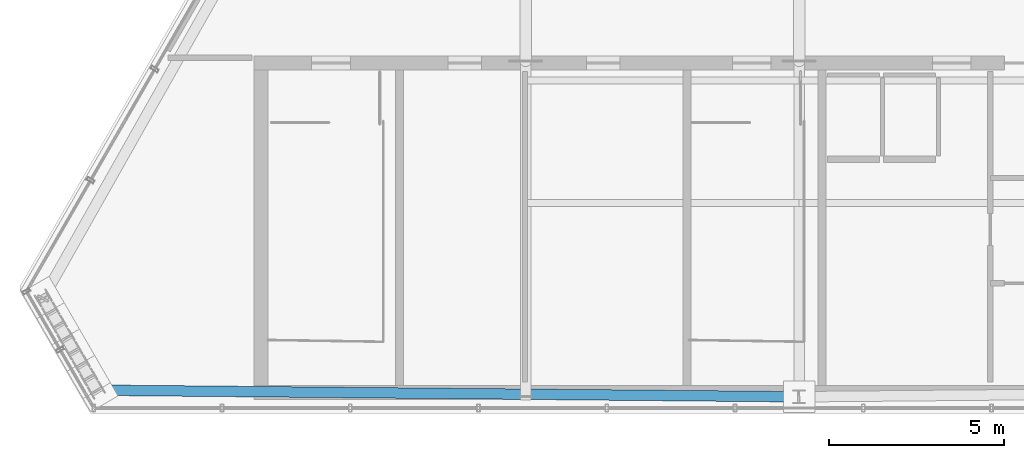
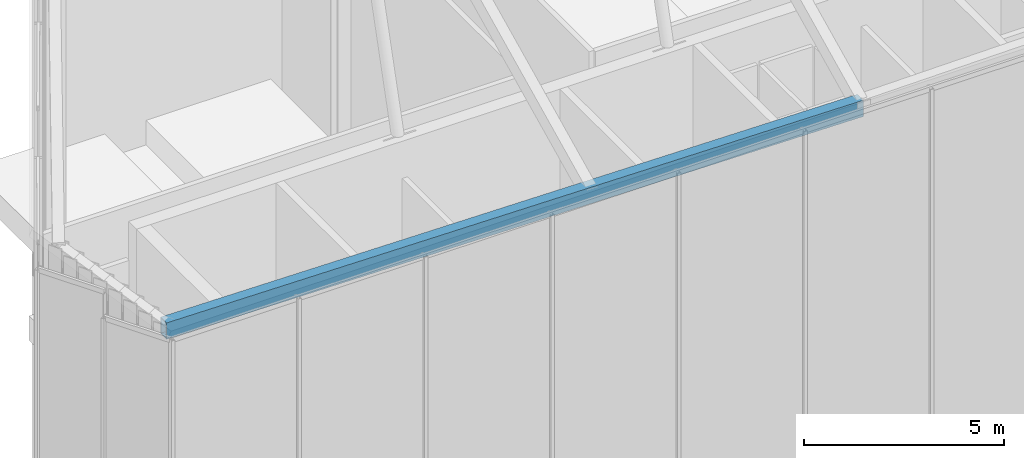
# One storey, part 4 of 36: 1 member.
"""IFC4 building model written with IfcOpenShell, lengths in metres."""

from ifc_helpers import new_model, si_unit, direction, frame, origin, origin_2d, place, context, subcontext, project, spatial, hollow_rectangle, extrude, material, material_profile, profile_set, type_object, element, save


model = new_model("IFC4")

# Units and contexts
model_context = context("Model", 3, precision=1e-05, world=origin(), true_north=direction((0.0, 1.0)))
body_context = subcontext(model_context, "Body", "Model", "MODEL_VIEW")
ifc_project = project(units=[si_unit("LENGTHUNIT", "METRE"), si_unit("AREAUNIT", "SQUARE_METRE"), si_unit("VOLUMEUNIT", "CUBIC_METRE"), si_unit("PLANEANGLEUNIT", "RADIAN"), si_unit("MASSUNIT", "GRAM", prefix="KILO")], contexts=[model_context])

# Site, building, storey
site_placement = place(None, origin())
site = spatial("IfcSite", under=ifc_project, at=site_placement, CompositionType="ELEMENT")
building_placement = place(site_placement, origin())
building = spatial("IfcBuilding", under=site, at=building_placement, Name="Ndaravel Arena Tower", CompositionType="ELEMENT")
storey_placement = place(building_placement, frame((0.0, 0.0, 308.10009765625)))
storey = spatial("IfcBuildingStorey", under=building, at=storey_placement, Name="Roof Crown", CompositionType="ELEMENT", Elevation=308.10009765625)

# Member
ifc_material = material(Name="Steel S355", Category="steel")
ifc_material_profile = material_profile(ifc_material, hollow_rectangle(XDim=0.300048828125, YDim=0.5, WallThickness=0.02001953125, at=origin_2d()), Name="RHS 500x300x20")
ifc_profile_set = profile_set([ifc_material_profile], Name="Steel S355")
member_type = type_object("IfcMemberType", Name="MEM-CRN-RAFTER", PredefinedType="RAFTER", material=ifc_profile_set)
member_placement = place(storey_placement, frame((21.961181640625, 5.667724609375, 13.185791015625), z_axis=(0.999945622581, -0.009368513064, -0.004580703397), x_axis=(0.009368611354, 0.999956113598, 0.0)))
element("IfcMember", 1, at=member_placement, inside=storey, type_object=member_type, Name="Crown Eaves Ring Member CER-27", PredefinedType="RAFTER", context=body_context, shape_type="SweptSolid", body=[
    extrude(hollow_rectangle(XDim=0.300048828125, YDim=0.5, WallThickness=0.02001953125, at=origin_2d()), origin(), (0.0, 0.0, 1.0), 20.039794921875),
])

save(model, "model.ifc")
